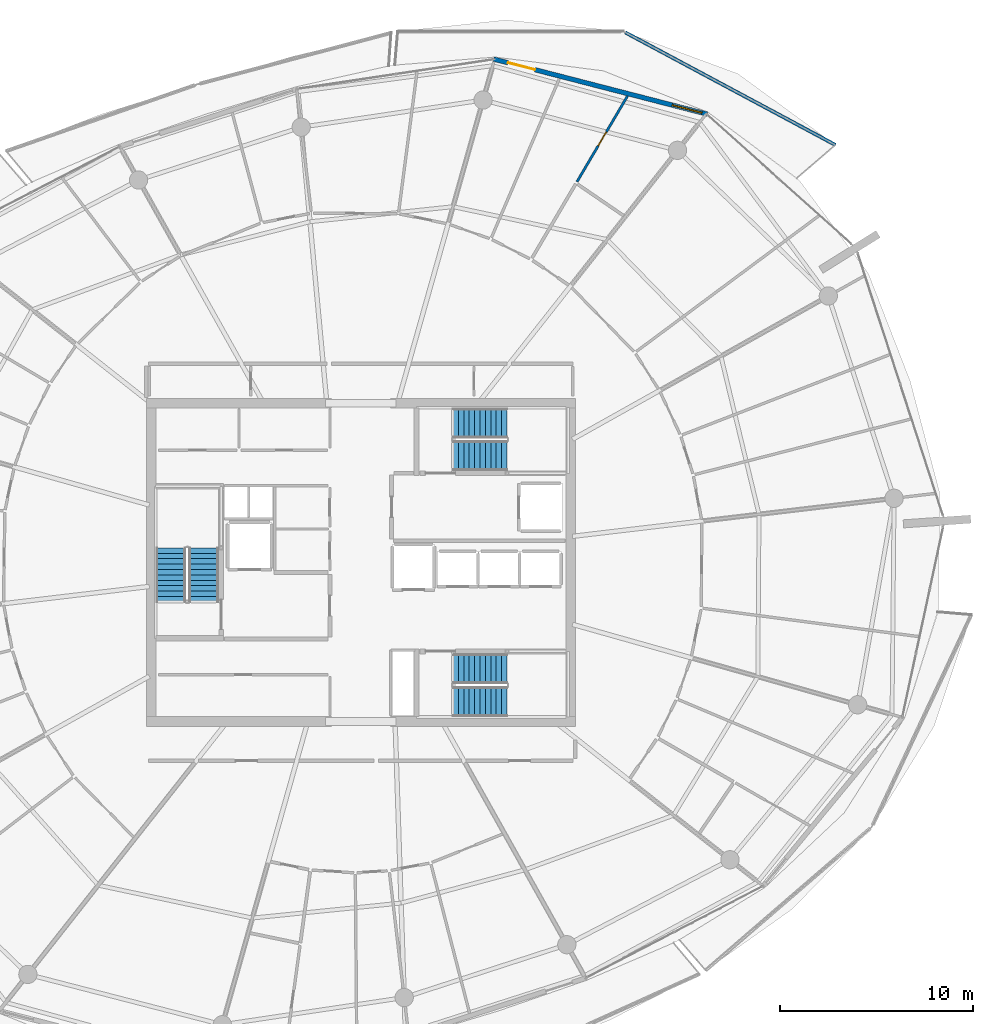
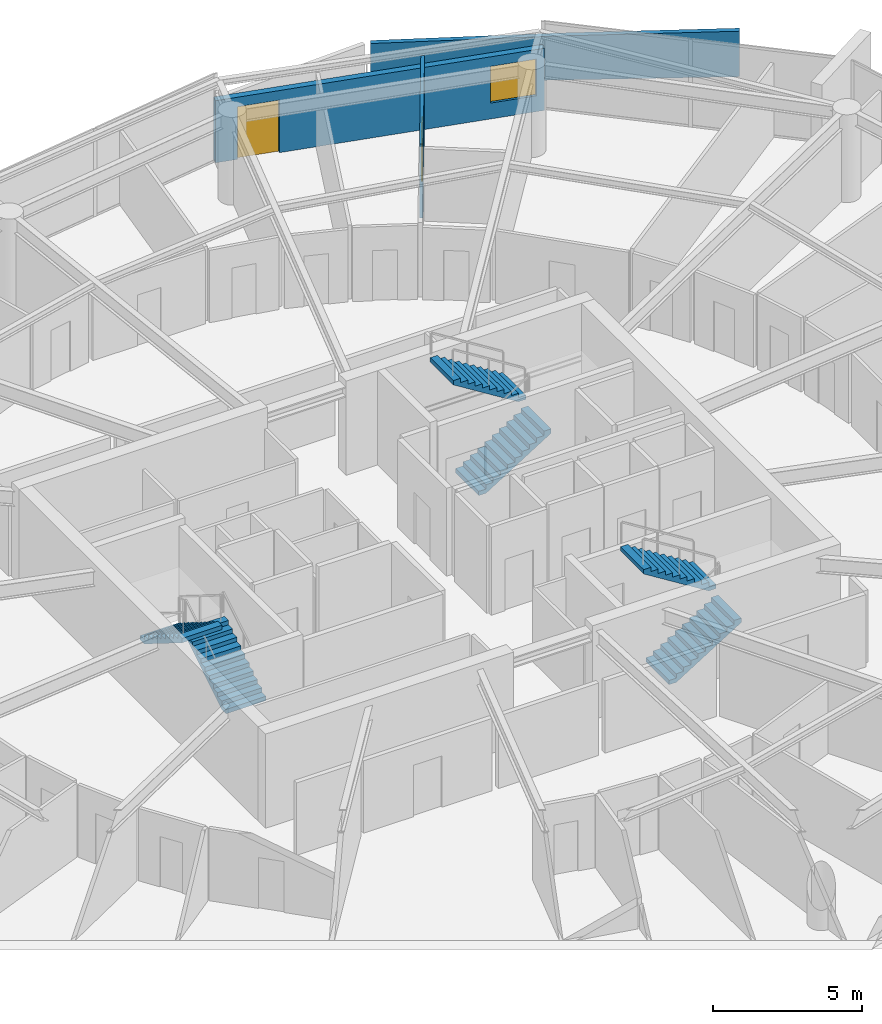
# One storey, part 23 of 30: 6 stair flights, 3 walls, 2 doors, 1 window, 3 openings, 3 elements without a shape of their own.
"""IFC4 building model written with IfcOpenShell, lengths in metres."""

from ifc_helpers import new_model, si_unit, direction, frame, frame_2d, origin, place, context, subcontext, project, spatial, polyline, rectangle, outline, extrude, material, layer, layer_set, type_object, element, fill, aggregate, save


model = new_model("IFC4")

# Units and contexts
model_context = context("Model", 3, precision=1e-05, world=origin(), true_north=direction((0.0, 1.0)))
body_context = subcontext(model_context, "Body", "Model", "MODEL_VIEW")
ifc_project = project(units=[si_unit("LENGTHUNIT", "METRE"), si_unit("AREAUNIT", "SQUARE_METRE"), si_unit("VOLUMEUNIT", "CUBIC_METRE"), si_unit("PLANEANGLEUNIT", "RADIAN"), si_unit("MASSUNIT", "GRAM", prefix="KILO")], contexts=[model_context])

# Site, building, storey
site_placement = place(None, origin())
site = spatial("IfcSite", under=ifc_project, at=site_placement, CompositionType="ELEMENT")
building_placement = place(site_placement, origin())
building = spatial("IfcBuilding", under=site, at=building_placement, Name="Kazma Halo Residences", CompositionType="ELEMENT")
storey_placement = place(building_placement, frame((0.0, 0.0, 294.449951171875)))
storey = spatial("IfcBuildingStorey", under=building, at=storey_placement, Name="L74", CompositionType="ELEMENT", Elevation=294.449951171875)

# Wall
ifc_material_1 = material(Name="White Concrete C50/60 Balustrade", Category="concrete")
ifc_layer_1 = layer(ifc_material_1, 0.179931640625)
ifc_layer_set_1 = layer_set([ifc_layer_1], Name="White Concrete C50/60 Balustrade")
wall_type_1 = type_object("IfcWallType", Name="WL-BAL-WAVE-180", PredefinedType="PARAPET", material=ifc_layer_set_1)
wall_1_placement = place(storey_placement, frame((73.03759765625, 63.650146484375, 0.0), z_axis=(0.0, 0.0, 1.0), x_axis=(-0.881580944095, 0.472032879161, 0.0)))
element("IfcWall", 1, at=wall_1_placement, inside=storey, type_object=wall_type_1, Name="L74 white wave balustrade wall NE.1", PredefinedType="PARAPET", context=body_context, shape_type="SweptSolid", body=[
    extrude(outline(polyline([(0.0, 0.0), (12.3623046875, 0.0), (12.3623046875, 1.632080078125), (6.18115234375, 1.798095703125), (0.0, 1.860107421875), (0.0, 0.0)])), frame((0.0, 0.08984375, 0.0), z_axis=(0.0, -1.0, 0.0), x_axis=(1.0, 0.0, 0.0)), (0.0, 0.0, 1.0), 0.179931640625),
])

# Wall, openings, door, window
ifc_material_2 = material(Name="Insulated Pale-Metal Composite Wall")
ifc_layer_2 = layer(ifc_material_2, 0.239990234375)
ifc_layer_set_2 = layer_set([ifc_layer_2], Name="Insulated Pale-Metal Composite Wall")
wall_type_2 = type_object("IfcWallType", Name="WL-EXT-HOST-240", PredefinedType="SOLIDWALL", material=ifc_layer_set_2)
wall_2_placement = place(storey_placement, frame((66.386474609375, 65.2490234375, 0.0), z_axis=(0.0, 0.0, 1.0), x_axis=(-0.968343758421, 0.249620442927, 0.0)))
wall_2 = element("IfcWall", 2, at=wall_2_placement, inside=storey, type_object=wall_type_2, Name="L74 exterior terrace-access wall B02", PredefinedType="SOLIDWALL", context=body_context, shape_type="SweptSolid", body=[
    extrude(rectangle(XDim=11.438232421875, YDim=0.239990234375, at=frame_2d((5.71923828125, 0.0))), origin(), (0.0, 0.0, 1.0), 2.5400390625),
])
opening_1_placement = place(wall_2_placement, frame((9.21826171875, 0.0, 0.0)))
opening_1 = element("IfcOpeningElement", 3, at=opening_1_placement, cuts=wall_2, Name="Opening DTR-1600", PredefinedType="OPENING", context=body_context, shape_type="SweptSolid", body=[
    extrude(rectangle(XDim=1.449951171875, YDim=2.14990234375, at=frame_2d((0.72509765625, 1.074951171875))), frame((0.0, 0.1298828125, 0.0), z_axis=(0.0, -1.0, 0.0), x_axis=(1.0, 0.0, 0.0)), (0.0, 0.0, 1.0), 0.260009765625),
])
opening_2_placement = place(wall_2_placement, frame((0.280029296875, 0.0, 0.64990234375)))
opening_2 = element("IfcOpeningElement", 4, at=opening_2_placement, cuts=wall_2, Name="Opening W-1800", PredefinedType="OPENING", context=body_context, shape_type="SweptSolid", body=[
    extrude(rectangle(XDim=1.60009765625, YDim=1.5, at=frame_2d((0.800048828125, 0.75))), frame((0.0, 0.1298828125, 0.0), z_axis=(0.0, -1.0, 0.0), x_axis=(1.0, 0.0, 0.0)), (0.0, 0.0, 1.0), 0.260009765625),
])
ifc_material_3 = material(Name="Aluminium AW-6063 T6 Double-Glazed Terrace Door", Category="aluminium")
door_type_1 = type_object("IfcDoorType", Name="DR-EXT-TERR-1600", OperationType="NOTDEFINED", PredefinedType="DOOR", material=ifc_material_3)
door_1_placement = place(opening_1_placement, origin())
door_1 = element("IfcDoor", 5, at=door_1_placement, inside=storey, type_object=door_type_1, Name="L74 B02 balcony terrace door", OperationType="DOUBLE_DOOR_SLIDING", OverallHeight=2.14990234375, OverallWidth=1.449951171875, PredefinedType="DOOR", context=body_context, shape_type="SweptSolid", body=[
    extrude(rectangle(XDim=1.449951171875, YDim=2.14990234375, at=frame_2d((0.72509765625, 1.074951171875))), frame((0.0, 0.02490234375, 0.0), z_axis=(0.0, -1.0, 0.0), x_axis=(1.0, 0.0, 0.0)), (0.0, 0.0, 1.0), 0.050048828125),
])
fill(opening_1, door_1)
ifc_material_4 = material(Name="Clear Triple-Silver Low-E Glass in Aluminium AW-6063 T6 Frame", Category="aluminium")
window_type = type_object("IfcWindowType", Name="WIN-RES-1800", PartitioningType="DOUBLE_PANEL_VERTICAL", PredefinedType="WINDOW", material=ifc_material_4)
window_placement = place(opening_2_placement, origin())
window = element("IfcWindow", 6, at=window_placement, inside=storey, type_object=window_type, Name="L74 B02 apartment window", OverallHeight=1.5, OverallWidth=1.60009765625, PartitioningType="SINGLE_PANEL", PredefinedType="WINDOW", context=body_context, shape_type="SweptSolid", body=[
    extrude(rectangle(XDim=1.60009765625, YDim=1.5, at=frame_2d((0.800048828125, 0.75))), frame((0.0, 0.030029296875, 0.0), z_axis=(0.0, -1.0, 0.0), x_axis=(1.0, 0.0, 0.0)), (0.0, 0.0, 1.0), 0.06005859375),
])
fill(opening_2, window)

# Wall, opening, door
ifc_material_5 = material(Name="Gypsum Plasterboard Partition")
ifc_layer_3 = layer(ifc_material_5, 0.125)
ifc_layer_set_3 = layer_set([ifc_layer_3], Name="Gypsum Plasterboard Partition")
wall_type_3 = type_object("IfcWallType", Name="WL-PART-125", PredefinedType="PARTITIONING", material=ifc_layer_set_3)
wall_3_placement = place(storey_placement, frame((59.63427734375, 61.742919921875, 0.0), z_axis=(0.0, 0.0, 1.0), x_axis=(0.507642154879, 0.861568013908, 0.0)))
wall_3 = element("IfcWall", 7, at=wall_3_placement, inside=storey, type_object=wall_type_3, Name="L74 Apartment 2 Corner Walk-In Wardrobe partition wall", PredefinedType="PARTITIONING", context=body_context, shape_type="SweptSolid", body=[
    extrude(rectangle(XDim=5.161865234375, YDim=0.125, at=frame_2d((2.5810546875, 0.0))), origin(), (0.0, 0.0, 1.0), 3.030029296875),
])
opening_3_placement = place(wall_3_placement, frame((2.156005859375, 0.0, 0.0)))
opening_3 = element("IfcOpeningElement", 8, at=opening_3_placement, cuts=wall_3, Name="Opening DB-900", PredefinedType="OPENING", context=body_context, shape_type="SweptSolid", body=[
    extrude(rectangle(XDim=0.85009765625, YDim=2.06005859375, at=frame_2d((0.425048828125, 1.030029296875))), frame((0.0, 0.072509765625, 0.0), z_axis=(0.0, -1.0, 0.0), x_axis=(1.0, 0.0, 0.0)), (0.0, 0.0, 1.0), 0.14501953125),
])
ifc_material_6 = material(Name="Moisture-Sealed Timber Leaf", Category="wood")
door_type_2 = type_object("IfcDoorType", Name="DR-BTH-900", OperationType="NOTDEFINED", PredefinedType="DOOR", material=ifc_material_6)
door_2_placement = place(opening_3_placement, origin())
door_2 = element("IfcDoor", 9, at=door_2_placement, inside=storey, type_object=door_type_2, Name="L74 Apartment 2 Corner Walk-In Wardrobe door", OperationType="SINGLE_SWING_LEFT", OverallHeight=2.06005859375, OverallWidth=0.85009765625, PredefinedType="DOOR", context=body_context, shape_type="SweptSolid", body=[
    extrude(rectangle(XDim=0.85009765625, YDim=2.06005859375, at=frame_2d((0.425048828125, 1.030029296875))), frame((0.0, 0.02490234375, 0.0), z_axis=(0.0, -1.0, 0.0), x_axis=(1.0, 0.0, 0.0)), (0.0, 0.0, 1.0), 0.050048828125),
])
fill(opening_3, door_2)

# Stair, stair flights
ifc_material_7 = material(Name="Concrete C50/60", Category="concrete")
stair_type = type_object("IfcStairType", Name="STR-RES2", PredefinedType="HALF_TURN_STAIR", material=ifc_material_7)
stair_1_placement = place(storey_placement, origin())
stair_1 = element("IfcStair", 10, at=stair_1_placement, inside=storey, type_object=stair_type, Name="L74 Core exit stair ST-01", PredefinedType="HALF_TURN_STAIR")
stair_flight_type = type_object("IfcStairFlightType", Name="STR-RES2-FLT", PredefinedType="STRAIGHT", material=ifc_material_7)
stair_flight_1_placement = place(storey_placement, frame((40.27490234375, 39.949951171875, 0.0), z_axis=(0.0, 0.0, 1.0), x_axis=(0.0, 1.0, 0.0)))
stair_flight_1 = element("IfcStairFlight", 11, at=stair_flight_1_placement, type_object=stair_flight_type, Name="ST-01 flight 1", NumberOfRisers=11, NumberOfTreads=10, PredefinedType="STRAIGHT", RiserHeight=0.175, TreadLength=0.28, context=body_context, shape_type="SweptSolid", body=[
    extrude(outline(polyline([(0.0, 0.0), (0.0, 0.175048828125), (0.280029296875, 0.175048828125), (0.280029296875, 0.35009765625), (0.56005859375, 0.35009765625), (0.56005859375, 0.52490234375), (0.840087890625, 0.52490234375), (0.840087890625, 0.699951171875), (1.1201171875, 0.699951171875), (1.1201171875, 0.875), (1.39990234375, 0.875), (1.39990234375, 1.050048828125), (1.679931640625, 1.050048828125), (1.679931640625, 1.22509765625), (1.9599609375, 1.22509765625), (1.9599609375, 1.39990234375), (2.239990234375, 1.39990234375), (2.239990234375, 1.574951171875), (2.52001953125, 1.574951171875), (2.52001953125, 1.75), (2.800048828125, 1.75), (2.800048828125, 1.925048828125), (2.800048828125, 1.5732421875), (0.28271484375, 0.0), (0.0, 0.0)])), frame((0.0, 0.77490234375, 0.0), z_axis=(0.0, -1.0, 0.0), x_axis=(1.0, 0.0, 0.0)), (0.0, 0.0, 1.0), 1.550048828125),
])
stair_flight_2_placement = place(storey_placement, frame((38.574951171875, 42.75, 1.925048828125), z_axis=(0.0, 0.0, 1.0), x_axis=(0.0, -1.0, 0.0)))
stair_flight_2 = element("IfcStairFlight", 12, at=stair_flight_2_placement, type_object=stair_flight_type, Name="ST-01 flight 2", NumberOfRisers=11, NumberOfTreads=10, PredefinedType="STRAIGHT", RiserHeight=0.175, TreadLength=0.28, context=body_context, shape_type="SweptSolid", body=[
    extrude(outline(polyline([(0.0, 0.0), (0.0, 0.175048828125), (0.280029296875, 0.175048828125), (0.280029296875, 0.35009765625), (0.56005859375, 0.35009765625), (0.56005859375, 0.52490234375), (0.840087890625, 0.52490234375), (0.840087890625, 0.699951171875), (1.1201171875, 0.699951171875), (1.1201171875, 0.875), (1.39990234375, 0.875), (1.39990234375, 1.050048828125), (1.679931640625, 1.050048828125), (1.679931640625, 1.22509765625), (1.9599609375, 1.22509765625), (1.9599609375, 1.39990234375), (2.239990234375, 1.39990234375), (2.239990234375, 1.574951171875), (2.52001953125, 1.574951171875), (2.52001953125, 1.75), (2.800048828125, 1.75), (2.800048828125, 1.925048828125), (2.800048828125, 1.5732421875), (0.28271484375, 0.0), (0.0, 0.0)])), frame((0.0, 0.77490234375, 0.0), z_axis=(0.0, -1.0, 0.0), x_axis=(1.0, 0.0, 0.0)), (0.0, 0.0, 1.0), 1.550048828125),
])
aggregate(stair_1, [stair_flight_1, stair_flight_2])

stair_2_placement = place(storey_placement, origin())
stair_2 = element("IfcStair", 13, at=stair_2_placement, inside=storey, type_object=stair_type, Name="L74 Core exit stair ST-02", PredefinedType="HALF_TURN_STAIR")
stair_flight_3_placement = place(storey_placement, frame((53.199951171875, 47.52490234375, 0.0), z_axis=(0.0, 0.0, 1.0), x_axis=(1.0, 0.0, 0.0)))
stair_flight_3 = element("IfcStairFlight", 14, at=stair_flight_3_placement, type_object=stair_flight_type, Name="ST-02 flight 1", NumberOfRisers=11, NumberOfTreads=10, PredefinedType="STRAIGHT", RiserHeight=0.175, TreadLength=0.28, context=body_context, shape_type="SweptSolid", body=[
    extrude(outline(polyline([(0.0, 0.0), (0.0, 0.175048828125), (0.280029296875, 0.175048828125), (0.280029296875, 0.35009765625), (0.56005859375, 0.35009765625), (0.56005859375, 0.52490234375), (0.840087890625, 0.52490234375), (0.840087890625, 0.699951171875), (1.1201171875, 0.699951171875), (1.1201171875, 0.875), (1.39990234375, 0.875), (1.39990234375, 1.050048828125), (1.679931640625, 1.050048828125), (1.679931640625, 1.22509765625), (1.9599609375, 1.22509765625), (1.9599609375, 1.39990234375), (2.239990234375, 1.39990234375), (2.239990234375, 1.574951171875), (2.52001953125, 1.574951171875), (2.52001953125, 1.75), (2.800048828125, 1.75), (2.800048828125, 1.925048828125), (2.800048828125, 1.5732421875), (0.28271484375, 0.0), (0.0, 0.0)])), frame((0.0, 0.77490234375, 0.0), z_axis=(0.0, -1.0, 0.0), x_axis=(1.0, 0.0, 0.0)), (0.0, 0.0, 1.0), 1.550048828125),
])
stair_flight_4_placement = place(storey_placement, frame((56.0, 49.22509765625, 1.925048828125), z_axis=(0.0, 0.0, 1.0), x_axis=(-1.0, 0.0, 0.0)))
stair_flight_4 = element("IfcStairFlight", 15, at=stair_flight_4_placement, type_object=stair_flight_type, Name="ST-02 flight 2", NumberOfRisers=11, NumberOfTreads=10, PredefinedType="STRAIGHT", RiserHeight=0.175, TreadLength=0.28, context=body_context, shape_type="SweptSolid", body=[
    extrude(outline(polyline([(0.0, 0.0), (0.0, 0.175048828125), (0.280029296875, 0.175048828125), (0.280029296875, 0.35009765625), (0.56005859375, 0.35009765625), (0.56005859375, 0.52490234375), (0.840087890625, 0.52490234375), (0.840087890625, 0.699951171875), (1.1201171875, 0.699951171875), (1.1201171875, 0.875), (1.39990234375, 0.875), (1.39990234375, 1.050048828125), (1.679931640625, 1.050048828125), (1.679931640625, 1.22509765625), (1.9599609375, 1.22509765625), (1.9599609375, 1.39990234375), (2.239990234375, 1.39990234375), (2.239990234375, 1.574951171875), (2.52001953125, 1.574951171875), (2.52001953125, 1.75), (2.800048828125, 1.75), (2.800048828125, 1.925048828125), (2.800048828125, 1.5732421875), (0.28271484375, 0.0), (0.0, 0.0)])), frame((0.0, 0.77490234375, 0.0), z_axis=(0.0, -1.0, 0.0), x_axis=(1.0, 0.0, 0.0)), (0.0, 0.0, 1.0), 1.550048828125),
])
aggregate(stair_2, [stair_flight_3, stair_flight_4])

stair_3_placement = place(storey_placement, origin())
stair_3 = element("IfcStair", 16, at=stair_3_placement, inside=storey, type_object=stair_type, Name="L74 Core exit stair ST-03", PredefinedType="HALF_TURN_STAIR")
stair_flight_5_placement = place(storey_placement, frame((53.199951171875, 34.77490234375, 0.0), z_axis=(0.0, 0.0, 1.0), x_axis=(1.0, 0.0, 0.0)))
stair_flight_5 = element("IfcStairFlight", 17, at=stair_flight_5_placement, type_object=stair_flight_type, Name="ST-03 flight 1", NumberOfRisers=11, NumberOfTreads=10, PredefinedType="STRAIGHT", RiserHeight=0.175, TreadLength=0.28, context=body_context, shape_type="SweptSolid", body=[
    extrude(outline(polyline([(0.0, 0.0), (0.0, 0.175048828125), (0.280029296875, 0.175048828125), (0.280029296875, 0.35009765625), (0.56005859375, 0.35009765625), (0.56005859375, 0.52490234375), (0.840087890625, 0.52490234375), (0.840087890625, 0.699951171875), (1.1201171875, 0.699951171875), (1.1201171875, 0.875), (1.39990234375, 0.875), (1.39990234375, 1.050048828125), (1.679931640625, 1.050048828125), (1.679931640625, 1.22509765625), (1.9599609375, 1.22509765625), (1.9599609375, 1.39990234375), (2.239990234375, 1.39990234375), (2.239990234375, 1.574951171875), (2.52001953125, 1.574951171875), (2.52001953125, 1.75), (2.800048828125, 1.75), (2.800048828125, 1.925048828125), (2.800048828125, 1.5732421875), (0.28271484375, 0.0), (0.0, 0.0)])), frame((0.0, 0.77490234375, 0.0), z_axis=(0.0, -1.0, 0.0), x_axis=(1.0, 0.0, 0.0)), (0.0, 0.0, 1.0), 1.550048828125),
])
stair_flight_6_placement = place(storey_placement, frame((56.0, 36.47509765625, 1.925048828125), z_axis=(0.0, 0.0, 1.0), x_axis=(-1.0, 0.0, 0.0)))
stair_flight_6 = element("IfcStairFlight", 18, at=stair_flight_6_placement, type_object=stair_flight_type, Name="ST-03 flight 2", NumberOfRisers=11, NumberOfTreads=10, PredefinedType="STRAIGHT", RiserHeight=0.175, TreadLength=0.28, context=body_context, shape_type="SweptSolid", body=[
    extrude(outline(polyline([(0.0, 0.0), (0.0, 0.175048828125), (0.280029296875, 0.175048828125), (0.280029296875, 0.35009765625), (0.56005859375, 0.35009765625), (0.56005859375, 0.52490234375), (0.840087890625, 0.52490234375), (0.840087890625, 0.699951171875), (1.1201171875, 0.699951171875), (1.1201171875, 0.875), (1.39990234375, 0.875), (1.39990234375, 1.050048828125), (1.679931640625, 1.050048828125), (1.679931640625, 1.22509765625), (1.9599609375, 1.22509765625), (1.9599609375, 1.39990234375), (2.239990234375, 1.39990234375), (2.239990234375, 1.574951171875), (2.52001953125, 1.574951171875), (2.52001953125, 1.75), (2.800048828125, 1.75), (2.800048828125, 1.925048828125), (2.800048828125, 1.5732421875), (0.28271484375, 0.0), (0.0, 0.0)])), frame((0.0, 0.77490234375, 0.0), z_axis=(0.0, -1.0, 0.0), x_axis=(1.0, 0.0, 0.0)), (0.0, 0.0, 1.0), 1.550048828125),
])
aggregate(stair_3, [stair_flight_5, stair_flight_6])

save(model, "model.ifc")
